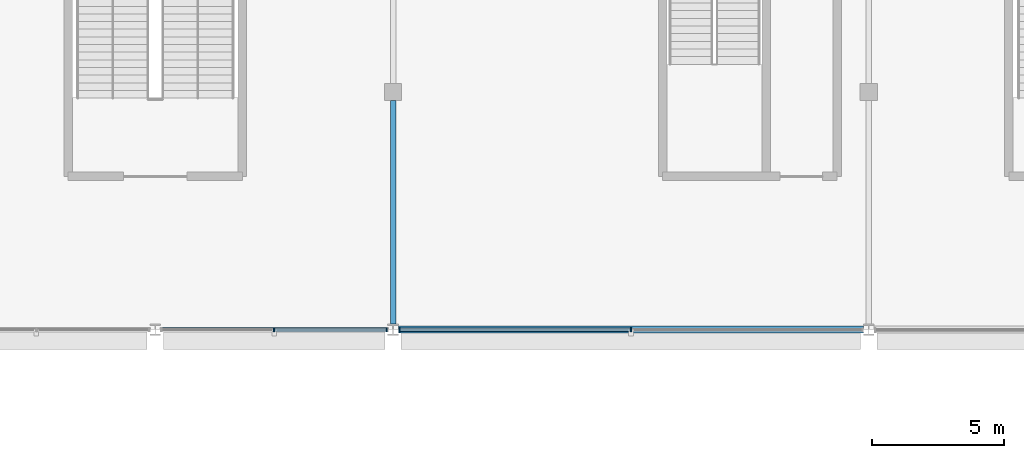
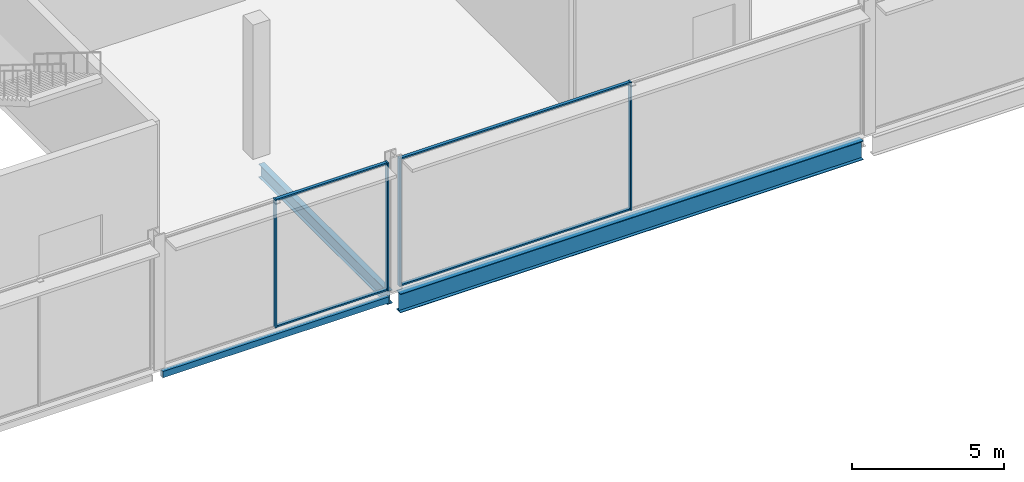
# One storey, part 35 of 111: 8 members, 3 beams, 2 elements without a shape of their own.
"""IFC4 building model written with IfcOpenShell, lengths in metres."""

from ifc_helpers import new_model, si_unit, direction, frame, origin, origin_2d, place, context, subcontext, project, spatial, rectangle, hollow_rectangle, i_section, extrude, material, layer, layer_set, material_profile, profile_set, type_object, element, aggregate, save


model = new_model("IFC4")

# Units and contexts
model_context = context("Model", 3, precision=1e-05, world=origin(), true_north=direction((0.0, 1.0)))
body_context = subcontext(model_context, "Body", "Model", "MODEL_VIEW")
ifc_project = project(units=[si_unit("LENGTHUNIT", "METRE"), si_unit("AREAUNIT", "SQUARE_METRE"), si_unit("VOLUMEUNIT", "CUBIC_METRE"), si_unit("PLANEANGLEUNIT", "RADIAN"), si_unit("MASSUNIT", "GRAM", prefix="KILO")], contexts=[model_context])

# Site, building, storey
site_placement = place(None, origin())
site = spatial("IfcSite", under=ifc_project, at=site_placement, CompositionType="ELEMENT")
building_placement = place(site_placement, origin())
building = spatial("IfcBuilding", under=site, at=building_placement, Name="Kisiwana Market Hall", CompositionType="ELEMENT")
storey_placement = place(building_placement, frame((0.0, 0.0, 11.39990234375)))
storey = spatial("IfcBuildingStorey", under=building, at=storey_placement, Name="L02", CompositionType="ELEMENT", Elevation=11.39990234375)

# Beams
ifc_material_1 = material(Name="Steel S355", Category="steel")
ifc_material_profile_1 = material_profile(ifc_material_1, i_section(OverallWidth=0.209228515625, OverallDepth=0.533203125, WebThickness=0.010009765625, FlangeThickness=0.015625, at=origin_2d()), Name="UB 533x210x92")
ifc_profile_set_1 = profile_set([ifc_material_profile_1], Name="Steel S355")
beam_type_1 = type_object("IfcBeamType", Name="BM-GIRD-UB533", PredefinedType="BEAM", material=ifc_profile_set_1)
beam_1_placement = place(storey_placement, frame((117.0, 84.21337890625, -0.516357421875), z_axis=(0.0, 1.0, 0.0), x_axis=(-1.0, 0.0, 0.0)))
element("IfcBeam", 1, at=beam_1_placement, inside=storey, type_object=beam_type_1, Name="Primary girder B-0652", PredefinedType="BEAM", context=body_context, shape_type="SweptSolid", body=[
    extrude(i_section(OverallWidth=0.209228515625, OverallDepth=0.533203125, WebThickness=0.010009765625, FlangeThickness=0.015625, at=origin_2d()), origin(), (0.0, 0.0, 1.0), 8.465576171875),
])
ifc_material_2 = material(Name="Steel S355", Category="steel")
ifc_material_profile_2 = material_profile(ifc_material_2, i_section(OverallWidth=0.2666015625, OverallDepth=0.76220703125, WebThickness=0.014404296875, FlangeThickness=0.021484375, at=origin_2d()), Name="UB 762x267x173")
ifc_profile_set_2 = profile_set([ifc_material_profile_2], Name="Steel S355")
beam_type_2 = type_object("IfcBeamType", Name="BM-GIRD-UB762", PredefinedType="BEAM", material=ifc_profile_set_2)
beam_2_placement = place(storey_placement, frame((117.201904296875, 84.0, -0.631103515625), z_axis=(1.0, 0.0, 0.0), x_axis=(0.0, 1.0, 0.0)))
element("IfcBeam", 2, at=beam_2_placement, inside=storey, type_object=beam_type_2, Name="Floor beam B-0783", PredefinedType="BEAM", context=body_context, shape_type="SweptSolid", body=[
    extrude(i_section(OverallWidth=0.2666015625, OverallDepth=0.76220703125, WebThickness=0.014404296875, FlangeThickness=0.021484375, at=origin_2d()), origin(), (0.0, 0.0, 1.0), 17.59619140625),
])
ifc_material_3 = material(Name="Steel S355", Category="steel")
ifc_material_profile_3 = material_profile(ifc_material_3, hollow_rectangle(XDim=0.14990234375, YDim=0.25, WallThickness=0.010009765625, at=origin_2d()), Name="RHS 250x150x10.0")
ifc_profile_set_3 = profile_set([ifc_material_profile_3], Name="Steel S355")
beam_type_3 = type_object("IfcBeamType", Name="BM-SPAN-RHS250", PredefinedType="SPANDREL", material=ifc_profile_set_3)
beam_3_placement = place(storey_placement, frame((108.201904296875, 84.0, -0.375), z_axis=(1.0, 0.0, 0.0), x_axis=(0.0, 1.0, 0.0)))
element("IfcBeam", 3, at=beam_3_placement, inside=storey, type_object=beam_type_3, Name="Floor beam B-0782", PredefinedType="SPANDREL", context=body_context, shape_type="SweptSolid", body=[
    extrude(hollow_rectangle(XDim=0.14990234375, YDim=0.25, WallThickness=0.010009765625, at=origin_2d()), origin(), (0.0, 0.0, 1.0), 8.59619140625),
])

# Curtain wall, members
ifc_material_4 = material(Name="Double-glazed solar-control low-E IGU", Category="glass")
ifc_layer = layer(ifc_material_4, 0.159912109375)
ifc_layer_set = layer_set([ifc_layer], Name="CW-GLD-W-6400")
curtain_wall_type = type_object("IfcCurtainWallType", Name="CW-GLD-W-6400", PredefinedType="USERDEFINED", material=ifc_layer_set)
curtain_wall_1_placement = place(storey_placement, origin())
curtain_wall_1 = element("IfcCurtainWall", 4, at=curtain_wall_1_placement, inside=storey, type_object=curtain_wall_type, Name="Unitised curtain wall CW-076 (L02)", ObjectType="UNITISED CURTAIN WALL", PredefinedType="USERDEFINED")
ifc_material_5 = material(Name="Aluminium alloy 6063-T6", Category="aluminium")
ifc_material_profile_4 = material_profile(ifc_material_5, rectangle(XDim=0.06005859375, YDim=0.159912109375, at=origin_2d()), Name="ALU MULLION 60x160")
ifc_profile_set_4 = profile_set([ifc_material_profile_4], Name="Aluminium alloy 6063-T6")
member_type_1 = type_object("IfcMemberType", Name="CW-MULL-60x160", PredefinedType="MULLION", material=ifc_profile_set_4)
member_1_placement = place(storey_placement, frame((112.5, 84.0, 0.0), z_axis=(0.0, 0.0, 1.0), x_axis=(1.0, 0.0, 0.0)))
member_1 = element("IfcMember", 5, at=member_1_placement, type_object=member_type_1, Name="CW-076 mullion 2", PredefinedType="MULLION", context=body_context, shape_type="SweptSolid", body=[
    extrude(rectangle(XDim=0.06005859375, YDim=0.159912109375, at=origin_2d()), origin(), (0.0, 0.0, 1.0), 5.150146484375),
])
member_2_placement = place(storey_placement, frame((116.763916015625, 84.0, 0.0), z_axis=(0.0, 0.0, 1.0), x_axis=(1.0, 0.0, 0.0)))
member_2 = element("IfcMember", 6, at=member_2_placement, type_object=member_type_1, Name="CW-076 mullion 3", PredefinedType="MULLION", context=body_context, shape_type="SweptSolid", body=[
    extrude(rectangle(XDim=0.06005859375, YDim=0.159912109375, at=origin_2d()), origin(), (0.0, 0.0, 1.0), 5.150146484375),
])

curtain_wall_2_placement = place(storey_placement, origin())
curtain_wall_2 = element("IfcCurtainWall", 7, at=curtain_wall_2_placement, inside=storey, type_object=curtain_wall_type, Name="Unitised curtain wall CW-077 (L02)", ObjectType="UNITISED CURTAIN WALL", PredefinedType="USERDEFINED")
member_3_placement = place(storey_placement, frame((117.236083984375, 84.0, 0.0), z_axis=(0.0, 0.0, 1.0), x_axis=(1.0, 0.0, 0.0)))
member_3 = element("IfcMember", 8, at=member_3_placement, type_object=member_type_1, Name="CW-077 mullion 1", PredefinedType="MULLION", context=body_context, shape_type="SweptSolid", body=[
    extrude(rectangle(XDim=0.06005859375, YDim=0.159912109375, at=origin_2d()), origin(), (0.0, 0.0, 1.0), 5.150146484375),
])
member_4_placement = place(storey_placement, frame((126.0, 84.0, 0.0), z_axis=(0.0, 0.0, 1.0), x_axis=(1.0, 0.0, 0.0)))
member_4 = element("IfcMember", 9, at=member_4_placement, type_object=member_type_1, Name="CW-077 mullion 2", PredefinedType="MULLION", context=body_context, shape_type="SweptSolid", body=[
    extrude(rectangle(XDim=0.06005859375, YDim=0.159912109375, at=origin_2d()), origin(), (0.0, 0.0, 1.0), 5.150146484375),
])

# Member
ifc_material_6 = material(Name="Aluminium alloy 6063-T6", Category="aluminium")
ifc_material_profile_5 = material_profile(ifc_material_6, rectangle(XDim=0.1201171875, YDim=0.06005859375, at=origin_2d()), Name="ALU TRANSOM 60x120")
ifc_profile_set_5 = profile_set([ifc_material_profile_5], Name="Aluminium alloy 6063-T6")
member_type_2 = type_object("IfcMemberType", Name="CW-TRAN-60x120", PredefinedType="USERDEFINED", material=ifc_profile_set_5)
member_5_placement = place(storey_placement, frame((112.530029296875, 84.0, 0.030029296875), z_axis=(1.0, 0.0, 0.0), x_axis=(0.0, 1.0, 0.0)))
member_5 = element("IfcMember", 10, at=member_5_placement, type_object=member_type_2, Name="CW-076 transom 2.1", ObjectType="TRANSOM", PredefinedType="USERDEFINED", context=body_context, shape_type="SweptSolid", body=[
    extrude(rectangle(XDim=0.1201171875, YDim=0.06005859375, at=origin_2d()), origin(), (0.0, 0.0, 1.0), 4.203857421875),
])

member_6_placement = place(storey_placement, frame((112.530029296875, 84.0, 5.1201171875), z_axis=(1.0, 0.0, 0.0), x_axis=(0.0, 1.0, 0.0)))
member_6 = element("IfcMember", 11, at=member_6_placement, type_object=member_type_2, Name="CW-076 transom 2.2", ObjectType="TRANSOM", PredefinedType="USERDEFINED", context=body_context, shape_type="SweptSolid", body=[
    extrude(rectangle(XDim=0.1201171875, YDim=0.06005859375, at=origin_2d()), origin(), (0.0, 0.0, 1.0), 4.203857421875),
])

aggregate(curtain_wall_1, [member_1, member_2, member_5, member_6])

member_7_placement = place(storey_placement, frame((117.26611328125, 84.0, 0.030029296875), z_axis=(1.0, 0.0, 0.0), x_axis=(0.0, 1.0, 0.0)))
member_7 = element("IfcMember", 12, at=member_7_placement, type_object=member_type_2, Name="CW-077 transom 1.1", ObjectType="TRANSOM", PredefinedType="USERDEFINED", context=body_context, shape_type="SweptSolid", body=[
    extrude(rectangle(XDim=0.1201171875, YDim=0.06005859375, at=origin_2d()), origin(), (0.0, 0.0, 1.0), 8.703857421875),
])

member_8_placement = place(storey_placement, frame((117.26611328125, 84.0, 5.1201171875), z_axis=(1.0, 0.0, 0.0), x_axis=(0.0, 1.0, 0.0)))
member_8 = element("IfcMember", 13, at=member_8_placement, type_object=member_type_2, Name="CW-077 transom 1.2", ObjectType="TRANSOM", PredefinedType="USERDEFINED", context=body_context, shape_type="SweptSolid", body=[
    extrude(rectangle(XDim=0.1201171875, YDim=0.06005859375, at=origin_2d()), origin(), (0.0, 0.0, 1.0), 8.703857421875),
])

aggregate(curtain_wall_2, [member_3, member_4, member_7, member_8])

save(model, "model.ifc")
